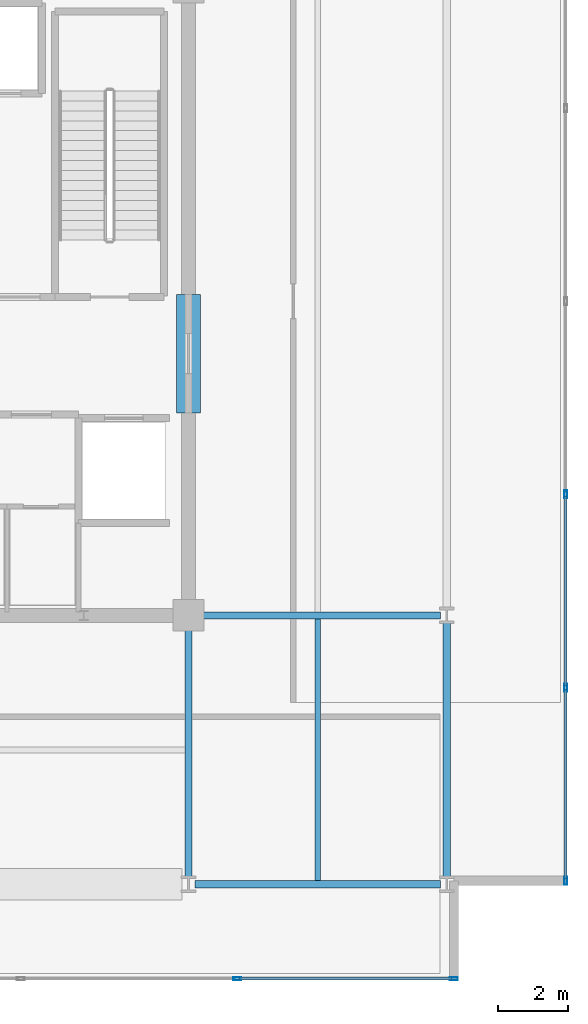
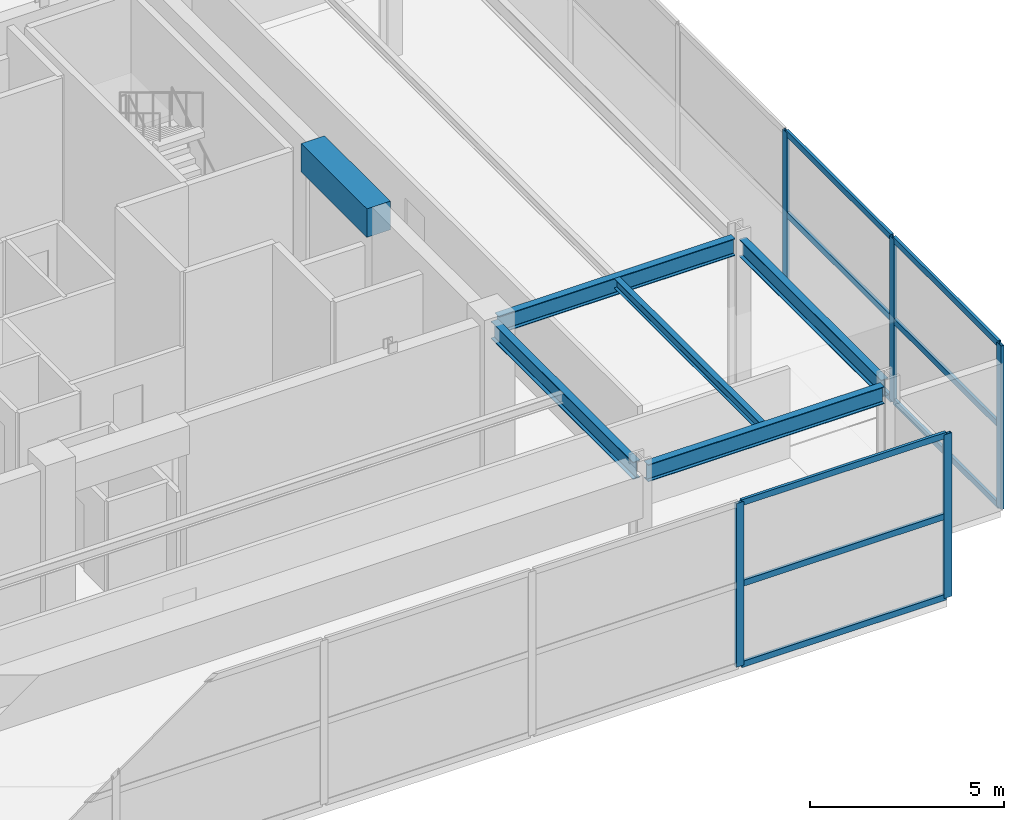
# One storey, part 10 of 24: 14 members, 6 beams, 2 elements without a shape of their own.
"""IFC4 building model written with IfcOpenShell, lengths in metres."""

from ifc_helpers import new_model, si_unit, direction, frame, origin, origin_2d, place, context, subcontext, project, spatial, rectangle, hollow_rectangle, i_section, extrude, material, material_profile, profile_set, type_object, element, aggregate, save


model = new_model("IFC4")

# Units and contexts
model_context = context("Model", 3, precision=1e-05, world=origin(), true_north=direction((0.0, 1.0)))
body_context = subcontext(model_context, "Body", "Model", "MODEL_VIEW")
ifc_project = project(units=[si_unit("LENGTHUNIT", "METRE"), si_unit("AREAUNIT", "SQUARE_METRE"), si_unit("VOLUMEUNIT", "CUBIC_METRE"), si_unit("PLANEANGLEUNIT", "RADIAN"), si_unit("MASSUNIT", "GRAM", prefix="KILO")], contexts=[model_context])

# Site, building, storey
site_placement = place(None, origin())
site = spatial("IfcSite", under=ifc_project, at=site_placement, CompositionType="ELEMENT")
building_placement = place(site_placement, origin())
building = spatial("IfcBuilding", under=site, at=building_placement, Name="Kovane Verandah Tower", CompositionType="ELEMENT")
storey_placement = place(building_placement, frame((0.0, 0.0, 348.800048828125)))
storey = spatial("IfcBuildingStorey", under=building, at=storey_placement, Name="L81", CompositionType="ELEMENT", Elevation=348.800048828125)

# Beams
ifc_material_1 = material(Name="Concrete C60/75", Category="concrete")
ifc_material_profile_1 = material_profile(ifc_material_1, rectangle(XDim=0.699951171875, YDim=0.89990234375, at=origin_2d()), Name="RCB700x900")
ifc_profile_set_1 = profile_set([ifc_material_profile_1], Name="Concrete C60/75")
beam_type_1 = type_object("IfcBeamType", Name="BM-LINTEL-700x900", PredefinedType="LINTEL", material=ifc_profile_set_1)
beam_1_placement = place(storey_placement, frame((51.0, 24.300048828125, 4.75), z_axis=(0.0, 1.0, 0.0), x_axis=(-1.0, 0.0, 0.0)))
element("IfcBeam", 1, at=beam_1_placement, inside=storey, type_object=beam_type_1, Name="L81 Core Coupling Lintel CL-E", PredefinedType="LINTEL", context=body_context, shape_type="SweptSolid", body=[
    extrude(rectangle(XDim=0.699951171875, YDim=0.89990234375, at=origin_2d()), origin(), (0.0, 0.0, 1.0), 3.39990234375),
])
ifc_material_2 = material(Name="Steel S355", Category="steel")
ifc_material_profile_2 = material_profile(ifc_material_2, i_section(OverallWidth=0.2119140625, OverallDepth=0.54443359375, WebThickness=0.0126953125, FlangeThickness=0.021240234375, FilletRadius=0.0126953125, at=origin_2d()), Name="UB533x210x122")
ifc_profile_set_2 = profile_set([ifc_material_profile_2], Name="Steel S355")
beam_type_2 = type_object("IfcBeamType", Name="BM-UB533x122", PredefinedType="BEAM", material=ifc_profile_set_2)
beam_2_placement = place(storey_placement, frame((51.179931640625, 10.800048828125, 4.927734375), z_axis=(1.0, 0.0, 0.0), x_axis=(0.0, 1.0, 0.0)))
element("IfcBeam", 2, at=beam_2_placement, inside=storey, type_object=beam_type_2, Name="L81 Primary Tower Girder G-RS3", PredefinedType="BEAM", context=body_context, shape_type="SweptSolid", body=[
    extrude(i_section(OverallWidth=0.2119140625, OverallDepth=0.54443359375, WebThickness=0.0126953125, FlangeThickness=0.021240234375, FilletRadius=0.0126953125, at=origin_2d()), origin(), (0.0, 0.0, 1.0), 7.0400390625),
])
beam_3_placement = place(storey_placement, frame((58.39990234375, 10.97998046875, 4.927734375), z_axis=(0.0, 1.0, 0.0), x_axis=(-1.0, 0.0, 0.0)))
element("IfcBeam", 3, at=beam_3_placement, inside=storey, type_object=beam_type_2, Name="L81 Primary Tower Girder G-RE1", PredefinedType="BEAM", context=body_context, shape_type="SweptSolid", body=[
    extrude(i_section(OverallWidth=0.2119140625, OverallDepth=0.54443359375, WebThickness=0.0126953125, FlangeThickness=0.021240234375, FilletRadius=0.0126953125, at=origin_2d()), origin(), (0.0, 0.0, 1.0), 7.340087890625),
])
beam_4_placement = place(storey_placement, frame((51.179931640625, 18.5, 4.927734375), z_axis=(1.0, 0.0, 0.0), x_axis=(0.0, 1.0, 0.0)))
element("IfcBeam", 4, at=beam_4_placement, inside=storey, type_object=beam_type_2, Name="L81 Primary Tower Girder G-E1", PredefinedType="BEAM", context=body_context, shape_type="SweptSolid", body=[
    extrude(i_section(OverallWidth=0.2119140625, OverallDepth=0.54443359375, WebThickness=0.0126953125, FlangeThickness=0.021240234375, FilletRadius=0.0126953125, at=origin_2d()), origin(), (0.0, 0.0, 1.0), 7.0400390625),
])
beam_5_placement = place(storey_placement, frame((51.0, 18.320068359375, 4.927734375), z_axis=(0.0, -1.0, 0.0), x_axis=(1.0, 0.0, 0.0)))
element("IfcBeam", 5, at=beam_5_placement, inside=storey, type_object=beam_type_2, Name="L81 Primary Tower Girder G-S2", PredefinedType="BEAM", context=body_context, shape_type="SweptSolid", body=[
    extrude(i_section(OverallWidth=0.2119140625, OverallDepth=0.54443359375, WebThickness=0.0126953125, FlangeThickness=0.021240234375, FilletRadius=0.0126953125, at=origin_2d()), origin(), (0.0, 0.0, 1.0), 7.340087890625),
])

# Curtain wall, members
ifc_material_3 = material(Name="Champagne Anodised Aluminium Frame with Low-E Clear Laminated Glass", Category="aluminium")
curtain_wall_type = type_object("IfcCurtainWallType", Name="CW-SYS-06-CROWN", PredefinedType="NOTDEFINED", material=ifc_material_3)
curtain_wall_1_placement = place(storey_placement, origin())
curtain_wall_1 = element("IfcCurtainWall", 6, at=curtain_wall_1_placement, inside=storey, type_object=curtain_wall_type, Name="L81 S Unitised Curtain Wall", PredefinedType="NOTDEFINED")
ifc_material_4 = material(Name="Champagne Anodised Aluminium 6063-T6", Category="aluminium")
ifc_material_profile_3 = material_profile(ifc_material_4, hollow_rectangle(XDim=0.0849609375, YDim=0.22998046875, WallThickness=0.00390625, at=origin_2d()), Name="AL85x230x4")
ifc_profile_set_3 = profile_set([ifc_material_profile_3], Name="Champagne Anodised Aluminium 6063-T6")
member_type_1 = type_object("IfcMemberType", Name="CW-MUL-85x230", PredefinedType="MULLION", material=ifc_profile_set_3)
member_1_placement = place(storey_placement, frame((52.39990234375, 8.10009765625, 0.02001953125), z_axis=(0.0, 0.0, 1.0), x_axis=(0.0, -1.0, 0.0)))
member_1 = element("IfcMember", 7, at=member_1_placement, type_object=member_type_1, Name="L81 S Unitised Curtain Wall Mullion 6", PredefinedType="MULLION", context=body_context, shape_type="SweptSolid", body=[
    extrude(hollow_rectangle(XDim=0.0849609375, YDim=0.22998046875, WallThickness=0.00390625, at=origin_2d()), origin(), (0.0, 0.0, 1.0), 5.159912109375),
])
member_2_placement = place(storey_placement, frame((58.60009765625, 8.10009765625, 0.02001953125), z_axis=(0.0, 0.0, 1.0), x_axis=(0.0, -1.0, 0.0)))
member_2 = element("IfcMember", 8, at=member_2_placement, type_object=member_type_1, Name="L81 S Unitised Curtain Wall Mullion 7", PredefinedType="MULLION", context=body_context, shape_type="SweptSolid", body=[
    extrude(hollow_rectangle(XDim=0.0849609375, YDim=0.22998046875, WallThickness=0.00390625, at=origin_2d()), origin(), (0.0, 0.0, 1.0), 5.159912109375),
])

curtain_wall_2_placement = place(storey_placement, origin())
curtain_wall_2 = element("IfcCurtainWall", 9, at=curtain_wall_2_placement, inside=storey, type_object=curtain_wall_type, Name="L81 E Unitised Curtain Wall", PredefinedType="NOTDEFINED")
member_3_placement = place(storey_placement, frame((61.800048828125, 10.89990234375, 0.02001953125), z_axis=(0.0, 0.0, 1.0), x_axis=(1.0, 0.0, 0.0)))
member_3 = element("IfcMember", 10, at=member_3_placement, type_object=member_type_1, Name="L81 E Unitised Curtain Wall Mullion 1", PredefinedType="MULLION", context=body_context, shape_type="SweptSolid", body=[
    extrude(hollow_rectangle(XDim=0.0849609375, YDim=0.22998046875, WallThickness=0.00390625, at=origin_2d()), origin(), (0.0, 0.0, 1.0), 5.159912109375),
])
member_4_placement = place(storey_placement, frame((61.800048828125, 16.433349609375, 0.02001953125), z_axis=(0.0, 0.0, 1.0), x_axis=(1.0, 0.0, 0.0)))
member_4 = element("IfcMember", 11, at=member_4_placement, type_object=member_type_1, Name="L81 E Unitised Curtain Wall Mullion 2", PredefinedType="MULLION", context=body_context, shape_type="SweptSolid", body=[
    extrude(hollow_rectangle(XDim=0.0849609375, YDim=0.22998046875, WallThickness=0.00390625, at=origin_2d()), origin(), (0.0, 0.0, 1.0), 5.159912109375),
])
member_5_placement = place(storey_placement, frame((61.800048828125, 21.966796875, 0.02001953125), z_axis=(0.0, 0.0, 1.0), x_axis=(1.0, 0.0, 0.0)))
member_5 = element("IfcMember", 12, at=member_5_placement, type_object=member_type_1, Name="L81 E Unitised Curtain Wall Mullion 3", PredefinedType="MULLION", context=body_context, shape_type="SweptSolid", body=[
    extrude(hollow_rectangle(XDim=0.0849609375, YDim=0.22998046875, WallThickness=0.00390625, at=origin_2d()), origin(), (0.0, 0.0, 1.0), 5.159912109375),
])

# Member
ifc_material_profile_4 = material_profile(ifc_material_4, hollow_rectangle(XDim=0.0849609375, YDim=0.18994140625, WallThickness=0.00390625, at=origin_2d()), Name="AL85x190x4")
ifc_profile_set_4 = profile_set([ifc_material_profile_4], Name="Champagne Anodised Aluminium 6063-T6")
member_type_2 = type_object("IfcMemberType", Name="CW-TRN-85x190", PredefinedType="USERDEFINED", material=ifc_profile_set_4)
member_6_placement = place(storey_placement, frame((52.449951171875, 8.10009765625, 0.050048828125), z_axis=(1.0, 0.0, 0.0), x_axis=(0.0, 1.0, 0.0)))
member_6 = element("IfcMember", 13, at=member_6_placement, type_object=member_type_2, Name="L81 S Unitised Curtain Wall Transom TB Bay 6", ObjectType="TRANSOM", PredefinedType="USERDEFINED", context=body_context, shape_type="SweptSolid", body=[
    extrude(hollow_rectangle(XDim=0.0849609375, YDim=0.18994140625, WallThickness=0.00390625, at=origin_2d()), origin(), (0.0, 0.0, 1.0), 6.10009765625),
])

member_7_placement = place(storey_placement, frame((52.449951171875, 8.10009765625, 2.599853515625), z_axis=(1.0, 0.0, 0.0), x_axis=(0.0, 1.0, 0.0)))
member_7 = element("IfcMember", 14, at=member_7_placement, type_object=member_type_2, Name="L81 S Unitised Curtain Wall Transom TM Bay 6", ObjectType="TRANSOM", PredefinedType="USERDEFINED", context=body_context, shape_type="SweptSolid", body=[
    extrude(hollow_rectangle(XDim=0.0849609375, YDim=0.18994140625, WallThickness=0.00390625, at=origin_2d()), origin(), (0.0, 0.0, 1.0), 6.10009765625),
])

member_8_placement = place(storey_placement, frame((52.449951171875, 8.10009765625, 5.14990234375), z_axis=(1.0, 0.0, 0.0), x_axis=(0.0, 1.0, 0.0)))
member_8 = element("IfcMember", 15, at=member_8_placement, type_object=member_type_2, Name="L81 S Unitised Curtain Wall Transom TT Bay 6", ObjectType="TRANSOM", PredefinedType="USERDEFINED", context=body_context, shape_type="SweptSolid", body=[
    extrude(hollow_rectangle(XDim=0.0849609375, YDim=0.18994140625, WallThickness=0.00390625, at=origin_2d()), origin(), (0.0, 0.0, 1.0), 6.10009765625),
])

aggregate(curtain_wall_1, [member_1, member_2, member_6, member_7, member_8])

member_9_placement = place(storey_placement, frame((61.800048828125, 10.949951171875, 0.050048828125), z_axis=(0.0, 1.0, 0.0), x_axis=(-1.0, 0.0, 0.0)))
member_9 = element("IfcMember", 16, at=member_9_placement, type_object=member_type_2, Name="L81 E Unitised Curtain Wall Transom TB Bay 1", ObjectType="TRANSOM", PredefinedType="USERDEFINED", context=body_context, shape_type="SweptSolid", body=[
    extrude(hollow_rectangle(XDim=0.0849609375, YDim=0.18994140625, WallThickness=0.00390625, at=origin_2d()), origin(), (0.0, 0.0, 1.0), 5.433349609375),
])

member_10_placement = place(storey_placement, frame((61.800048828125, 10.949951171875, 2.599853515625), z_axis=(0.0, 1.0, 0.0), x_axis=(-1.0, 0.0, 0.0)))
member_10 = element("IfcMember", 17, at=member_10_placement, type_object=member_type_2, Name="L81 E Unitised Curtain Wall Transom TM Bay 1", ObjectType="TRANSOM", PredefinedType="USERDEFINED", context=body_context, shape_type="SweptSolid", body=[
    extrude(hollow_rectangle(XDim=0.0849609375, YDim=0.18994140625, WallThickness=0.00390625, at=origin_2d()), origin(), (0.0, 0.0, 1.0), 5.433349609375),
])

member_11_placement = place(storey_placement, frame((61.800048828125, 10.949951171875, 5.14990234375), z_axis=(0.0, 1.0, 0.0), x_axis=(-1.0, 0.0, 0.0)))
member_11 = element("IfcMember", 18, at=member_11_placement, type_object=member_type_2, Name="L81 E Unitised Curtain Wall Transom TT Bay 1", ObjectType="TRANSOM", PredefinedType="USERDEFINED", context=body_context, shape_type="SweptSolid", body=[
    extrude(hollow_rectangle(XDim=0.0849609375, YDim=0.18994140625, WallThickness=0.00390625, at=origin_2d()), origin(), (0.0, 0.0, 1.0), 5.433349609375),
])

member_12_placement = place(storey_placement, frame((61.800048828125, 16.4833984375, 0.050048828125), z_axis=(0.0, 1.0, 0.0), x_axis=(-1.0, 0.0, 0.0)))
member_12 = element("IfcMember", 19, at=member_12_placement, type_object=member_type_2, Name="L81 E Unitised Curtain Wall Transom TB Bay 2", ObjectType="TRANSOM", PredefinedType="USERDEFINED", context=body_context, shape_type="SweptSolid", body=[
    extrude(hollow_rectangle(XDim=0.0849609375, YDim=0.18994140625, WallThickness=0.00390625, at=origin_2d()), origin(), (0.0, 0.0, 1.0), 5.433349609375),
])

member_13_placement = place(storey_placement, frame((61.800048828125, 16.4833984375, 2.599853515625), z_axis=(0.0, 1.0, 0.0), x_axis=(-1.0, 0.0, 0.0)))
member_13 = element("IfcMember", 20, at=member_13_placement, type_object=member_type_2, Name="L81 E Unitised Curtain Wall Transom TM Bay 2", ObjectType="TRANSOM", PredefinedType="USERDEFINED", context=body_context, shape_type="SweptSolid", body=[
    extrude(hollow_rectangle(XDim=0.0849609375, YDim=0.18994140625, WallThickness=0.00390625, at=origin_2d()), origin(), (0.0, 0.0, 1.0), 5.433349609375),
])

member_14_placement = place(storey_placement, frame((61.800048828125, 16.4833984375, 5.14990234375), z_axis=(0.0, 1.0, 0.0), x_axis=(-1.0, 0.0, 0.0)))
member_14 = element("IfcMember", 21, at=member_14_placement, type_object=member_type_2, Name="L81 E Unitised Curtain Wall Transom TT Bay 2", ObjectType="TRANSOM", PredefinedType="USERDEFINED", context=body_context, shape_type="SweptSolid", body=[
    extrude(hollow_rectangle(XDim=0.0849609375, YDim=0.18994140625, WallThickness=0.00390625, at=origin_2d()), origin(), (0.0, 0.0, 1.0), 5.433349609375),
])

aggregate(curtain_wall_2, [member_3, member_4, member_5, member_9, member_10, member_11, member_12, member_13, member_14])

# Beam
ifc_material_profile_5 = material_profile(ifc_material_2, i_section(OverallWidth=0.1669921875, OverallDepth=0.310302734375, WebThickness=0.0078125, FlangeThickness=0.013671875, FilletRadius=0.0087890625, at=origin_2d()), Name="UB305x165x54")
ifc_profile_set_5 = profile_set([ifc_material_profile_5], Name="Steel S355")
beam_type_3 = type_object("IfcBeamType", Name="JST-UB305x54", PredefinedType="JOIST", material=ifc_profile_set_5)
beam_6_placement = place(storey_placement, frame((54.699951171875, 10.904052734375, 5.044677734375), z_axis=(0.0, 1.0, 0.0), x_axis=(-1.0, 0.0, 0.0)))
element("IfcBeam", 22, at=beam_6_placement, inside=storey, type_object=beam_type_3, Name="L81 Secondary Composite Joist J-SE1", PredefinedType="JOIST", context=body_context, shape_type="SweptSolid", body=[
    extrude(i_section(OverallWidth=0.1669921875, OverallDepth=0.310302734375, WebThickness=0.0078125, FlangeThickness=0.013671875, FilletRadius=0.0087890625, at=origin_2d()), origin(), (0.0, 0.0, 1.0), 7.491943359375),
])

save(model, "model.ifc")
